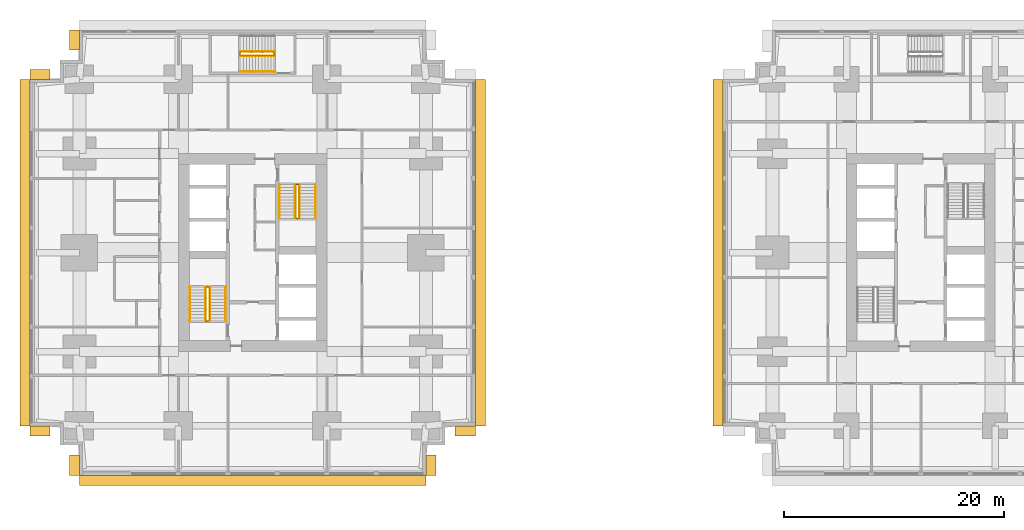
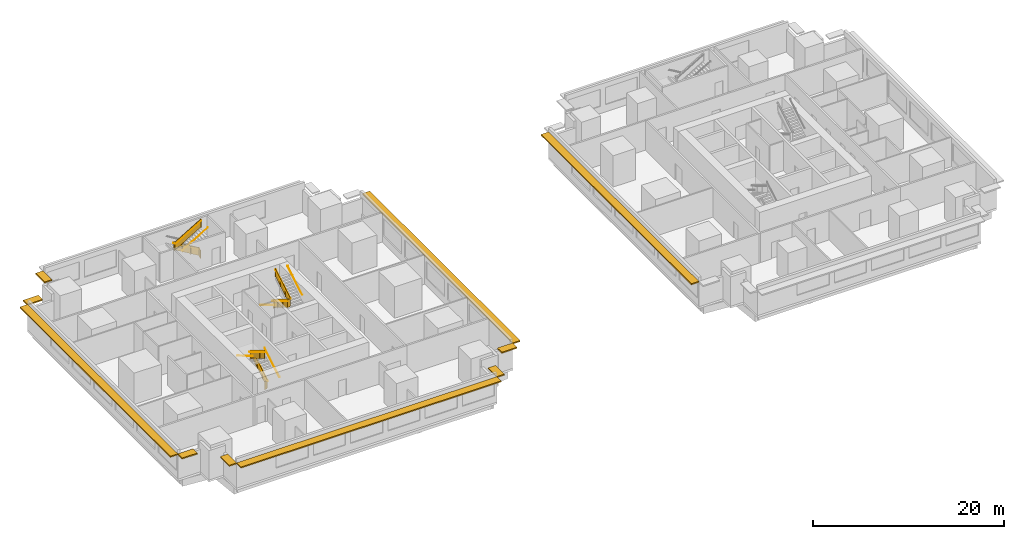
# One storey, part 9 of 11: 14 railings, 10 shading devices.
"""IFC4 building model written with IfcOpenShell, lengths in metres."""

from ifc_helpers import new_model, si_unit, direction, frame, origin, origin_2d, place, context, subcontext, project, spatial, polyline, rectangle, circle, outline, extrude, material, layer, layer_set, type_object, element, save


model = new_model("IFC4")

# Units and contexts
model_context = context("Model", 3, precision=1e-05, world=origin(), true_north=direction((0.0, 1.0)))
body_context = subcontext(model_context, "Body", "Model", "MODEL_VIEW")
ifc_project = project(units=[si_unit("LENGTHUNIT", "METRE"), si_unit("AREAUNIT", "SQUARE_METRE"), si_unit("VOLUMEUNIT", "CUBIC_METRE"), si_unit("PLANEANGLEUNIT", "RADIAN"), si_unit("MASSUNIT", "GRAM", prefix="KILO")], contexts=[model_context])

# Site, building, storey
site_placement = place(None, origin())
site = spatial("IfcSite", under=ifc_project, at=site_placement, CompositionType="ELEMENT")
building_placement = place(site_placement, origin())
building = spatial("IfcBuilding", under=site, at=building_placement, Name="Namib Vertical Campus", CompositionType="ELEMENT")
storey_placement = place(building_placement, frame((0.0, 0.0, 41.0)))
storey = spatial("IfcBuildingStorey", under=building, at=storey_placement, Name="L09", CompositionType="ELEMENT", Elevation=41.0)

# Railings
ifc_material_1 = material(Name="Steel handrail", Category="steel")
railing_type_1 = type_object("IfcRailingType", Name="Handrail 900", PredefinedType="HANDRAIL", material=ifc_material_1)
railing_1_placement = place(storey_placement, frame((17.800048828125, 14.050048828125, 0.166748046875)))
element("IfcRailing", 1, at=railing_1_placement, inside=storey, type_object=railing_type_1, Name="Handrail HR1 A-S1 L09 1", PredefinedType="HANDRAIL", context=body_context, shape_type="SweptSolid", body=[
    extrude(circle(Radius=0.02392578125, at=origin_2d()), frame((0.0, 0.0, 0.8759765625), z_axis=(0.0, 0.859290745958, 0.51148745235), x_axis=(-1.0, 0.0, 0.0)), (0.0, 0.0, 1.0), 3.584228515625),
    extrude(circle(Radius=0.008056640625, at=origin_2d()), frame((0.0, 0.0, 0.8759765625), z_axis=(1.0, 0.0, 0.0), x_axis=(0.0, 0.0, 1.0)), (0.0, 0.0, 1.0), 0.050048828125),
    extrude(circle(Radius=0.008056640625, at=origin_2d()), frame((0.0, 1.026611328125, 1.48681640625), z_axis=(1.0, 0.0, 0.0), x_axis=(0.0, 0.0, 1.0)), (0.0, 0.0, 1.0), 0.050048828125),
    extrude(circle(Radius=0.008056640625, at=origin_2d()), frame((0.0, 2.05322265625, 2.09814453125), z_axis=(1.0, 0.0, 0.0), x_axis=(0.0, 0.0, 1.0)), (0.0, 0.0, 1.0), 0.050048828125),
    extrude(circle(Radius=0.008056640625, at=origin_2d()), frame((0.0, 3.079833984375, 2.708984375), z_axis=(1.0, 0.0, 0.0), x_axis=(0.0, 0.0, 1.0)), (0.0, 0.0, 1.0), 0.050048828125),
])
railing_2_placement = place(storey_placement, frame((14.550048828125, 17.1298828125, 2.166748046875)))
element("IfcRailing", 2, at=railing_2_placement, inside=storey, type_object=railing_type_1, Name="Handrail HR1 A-S1 L09 2", PredefinedType="HANDRAIL", context=body_context, shape_type="SweptSolid", body=[
    extrude(circle(Radius=0.02392578125, at=origin_2d()), frame((0.0, 0.0, 0.8759765625), z_axis=(0.0, -0.859290745958, 0.51148745235), x_axis=(1.0, 0.0, 0.0)), (0.0, 0.0, 1.0), 3.584228515625),
    extrude(circle(Radius=0.008056640625, at=origin_2d()), frame((0.0, 0.0, 0.8759765625), z_axis=(-1.0, 0.0, 0.0), x_axis=(0.0, 0.0, 1.0)), (0.0, 0.0, 1.0), 0.050048828125),
    extrude(circle(Radius=0.008056640625, at=origin_2d()), frame((0.0, -1.026611328125, 1.48681640625), z_axis=(-1.0, 0.0, 0.0), x_axis=(0.0, 0.0, 1.0)), (0.0, 0.0, 1.0), 0.050048828125),
    extrude(circle(Radius=0.008056640625, at=origin_2d()), frame((0.0, -2.05322265625, 2.09814453125), z_axis=(-1.0, 0.0, 0.0), x_axis=(0.0, 0.0, 1.0)), (0.0, 0.0, 1.0), 0.050048828125),
    extrude(circle(Radius=0.008056640625, at=origin_2d()), frame((0.0, -3.079833984375, 2.708984375), z_axis=(-1.0, 0.0, 0.0), x_axis=(0.0, 0.0, 1.0)), (0.0, 0.0, 1.0), 0.050048828125),
])
railing_3_placement = place(storey_placement, frame((16.375, 14.050048828125, 0.166748046875)))
element("IfcRailing", 3, at=railing_3_placement, inside=storey, type_object=railing_type_1, Name="Handrail HR1 A-S1 L09 1 at the well", PredefinedType="HANDRAIL", context=body_context, shape_type="SweptSolid", body=[
    extrude(circle(Radius=0.02392578125, at=origin_2d()), frame((0.0, 0.0, 0.8759765625), z_axis=(0.0, 0.859290745958, 0.51148745235), x_axis=(-1.0, 0.0, 0.0)), (0.0, 0.0, 1.0), 3.584228515625),
    extrude(circle(Radius=0.008056640625, at=origin_2d()), frame((0.0, 0.0, 0.8759765625), z_axis=(-1.0, 0.0, 0.0), x_axis=(0.0, 0.0, 1.0)), (0.0, 0.0, 1.0), 0.0400390625),
    extrude(circle(Radius=0.008056640625, at=origin_2d()), frame((0.0, 1.026611328125, 1.48681640625), z_axis=(-1.0, 0.0, 0.0), x_axis=(0.0, 0.0, 1.0)), (0.0, 0.0, 1.0), 0.0400390625),
    extrude(circle(Radius=0.008056640625, at=origin_2d()), frame((0.0, 2.05322265625, 2.09814453125), z_axis=(-1.0, 0.0, 0.0), x_axis=(0.0, 0.0, 1.0)), (0.0, 0.0, 1.0), 0.0400390625),
    extrude(circle(Radius=0.008056640625, at=origin_2d()), frame((0.0, 3.079833984375, 2.708984375), z_axis=(-1.0, 0.0, 0.0), x_axis=(0.0, 0.0, 1.0)), (0.0, 0.0, 1.0), 0.0400390625),
])
railing_4_placement = place(storey_placement, frame((15.97509765625, 17.1298828125, 2.166748046875)))
element("IfcRailing", 4, at=railing_4_placement, inside=storey, type_object=railing_type_1, Name="Handrail HR1 A-S1 L09 2 at the well", PredefinedType="HANDRAIL", context=body_context, shape_type="SweptSolid", body=[
    extrude(circle(Radius=0.02392578125, at=origin_2d()), frame((0.0, 0.0, 0.8759765625), z_axis=(0.0, -0.859290745958, 0.51148745235), x_axis=(1.0, 0.0, 0.0)), (0.0, 0.0, 1.0), 3.584228515625),
    extrude(circle(Radius=0.008056640625, at=origin_2d()), frame((0.0, 0.0, 0.8759765625), z_axis=(1.0, 0.0, 0.0), x_axis=(0.0, 0.0, 1.0)), (0.0, 0.0, 1.0), 0.0400390625),
    extrude(circle(Radius=0.008056640625, at=origin_2d()), frame((0.0, -1.026611328125, 1.48681640625), z_axis=(1.0, 0.0, 0.0), x_axis=(0.0, 0.0, 1.0)), (0.0, 0.0, 1.0), 0.0400390625),
    extrude(circle(Radius=0.008056640625, at=origin_2d()), frame((0.0, -2.05322265625, 2.09814453125), z_axis=(1.0, 0.0, 0.0), x_axis=(0.0, 0.0, 1.0)), (0.0, 0.0, 1.0), 0.0400390625),
    extrude(circle(Radius=0.008056640625, at=origin_2d()), frame((0.0, -3.079833984375, 2.708984375), z_axis=(1.0, 0.0, 0.0), x_axis=(0.0, 0.0, 1.0)), (0.0, 0.0, 1.0), 0.0400390625),
])
railing_5_placement = place(storey_placement, frame((22.699951171875, 26.449951171875, 0.166748046875)))
element("IfcRailing", 5, at=railing_5_placement, inside=storey, type_object=railing_type_1, Name="Handrail HR1 A-S2 L09 1", PredefinedType="HANDRAIL", context=body_context, shape_type="SweptSolid", body=[
    extrude(circle(Radius=0.02392578125, at=origin_2d()), frame((0.0, 0.0, 0.8759765625), z_axis=(0.0, -0.859290745958, 0.51148745235), x_axis=(1.0, 0.0, 0.0)), (0.0, 0.0, 1.0), 3.584228515625),
    extrude(circle(Radius=0.008056640625, at=origin_2d()), frame((0.0, 0.0, 0.8759765625), z_axis=(-1.0, 0.0, 0.0), x_axis=(0.0, 0.0, 1.0)), (0.0, 0.0, 1.0), 0.050048828125),
    extrude(circle(Radius=0.008056640625, at=origin_2d()), frame((0.0, -1.026611328125, 1.48681640625), z_axis=(-1.0, 0.0, 0.0), x_axis=(0.0, 0.0, 1.0)), (0.0, 0.0, 1.0), 0.050048828125),
    extrude(circle(Radius=0.008056640625, at=origin_2d()), frame((0.0, -2.05322265625, 2.09814453125), z_axis=(-1.0, 0.0, 0.0), x_axis=(0.0, 0.0, 1.0)), (0.0, 0.0, 1.0), 0.050048828125),
    extrude(circle(Radius=0.008056640625, at=origin_2d()), frame((0.0, -3.079833984375, 2.708984375), z_axis=(-1.0, 0.0, 0.0), x_axis=(0.0, 0.0, 1.0)), (0.0, 0.0, 1.0), 0.050048828125),
])
railing_6_placement = place(storey_placement, frame((25.949951171875, 23.3701171875, 2.166748046875)))
element("IfcRailing", 6, at=railing_6_placement, inside=storey, type_object=railing_type_1, Name="Handrail HR1 A-S2 L09 2", PredefinedType="HANDRAIL", context=body_context, shape_type="SweptSolid", body=[
    extrude(circle(Radius=0.02392578125, at=origin_2d()), frame((0.0, 0.0, 0.8759765625), z_axis=(0.0, 0.859290745958, 0.51148745235), x_axis=(-1.0, 0.0, 0.0)), (0.0, 0.0, 1.0), 3.584228515625),
    extrude(circle(Radius=0.008056640625, at=origin_2d()), frame((0.0, 0.0, 0.8759765625), z_axis=(1.0, 0.0, 0.0), x_axis=(0.0, 0.0, 1.0)), (0.0, 0.0, 1.0), 0.050048828125),
    extrude(circle(Radius=0.008056640625, at=origin_2d()), frame((0.0, 1.026611328125, 1.48681640625), z_axis=(1.0, 0.0, 0.0), x_axis=(0.0, 0.0, 1.0)), (0.0, 0.0, 1.0), 0.050048828125),
    extrude(circle(Radius=0.008056640625, at=origin_2d()), frame((0.0, 2.05322265625, 2.09814453125), z_axis=(1.0, 0.0, 0.0), x_axis=(0.0, 0.0, 1.0)), (0.0, 0.0, 1.0), 0.050048828125),
    extrude(circle(Radius=0.008056640625, at=origin_2d()), frame((0.0, 3.079833984375, 2.708984375), z_axis=(1.0, 0.0, 0.0), x_axis=(0.0, 0.0, 1.0)), (0.0, 0.0, 1.0), 0.050048828125),
])
railing_7_placement = place(storey_placement, frame((24.125, 26.449951171875, 0.166748046875)))
element("IfcRailing", 7, at=railing_7_placement, inside=storey, type_object=railing_type_1, Name="Handrail HR1 A-S2 L09 1 at the well", PredefinedType="HANDRAIL", context=body_context, shape_type="SweptSolid", body=[
    extrude(circle(Radius=0.02392578125, at=origin_2d()), frame((0.0, 0.0, 0.8759765625), z_axis=(0.0, -0.859290745958, 0.51148745235), x_axis=(1.0, 0.0, 0.0)), (0.0, 0.0, 1.0), 3.584228515625),
    extrude(circle(Radius=0.008056640625, at=origin_2d()), frame((0.0, 0.0, 0.8759765625), z_axis=(1.0, 0.0, 0.0), x_axis=(0.0, 0.0, 1.0)), (0.0, 0.0, 1.0), 0.0400390625),
    extrude(circle(Radius=0.008056640625, at=origin_2d()), frame((0.0, -1.026611328125, 1.48681640625), z_axis=(1.0, 0.0, 0.0), x_axis=(0.0, 0.0, 1.0)), (0.0, 0.0, 1.0), 0.0400390625),
    extrude(circle(Radius=0.008056640625, at=origin_2d()), frame((0.0, -2.05322265625, 2.09814453125), z_axis=(1.0, 0.0, 0.0), x_axis=(0.0, 0.0, 1.0)), (0.0, 0.0, 1.0), 0.0400390625),
    extrude(circle(Radius=0.008056640625, at=origin_2d()), frame((0.0, -3.079833984375, 2.708984375), z_axis=(1.0, 0.0, 0.0), x_axis=(0.0, 0.0, 1.0)), (0.0, 0.0, 1.0), 0.0400390625),
])
railing_8_placement = place(storey_placement, frame((24.52490234375, 23.3701171875, 2.166748046875)))
element("IfcRailing", 8, at=railing_8_placement, inside=storey, type_object=railing_type_1, Name="Handrail HR1 A-S2 L09 2 at the well", PredefinedType="HANDRAIL", context=body_context, shape_type="SweptSolid", body=[
    extrude(circle(Radius=0.02392578125, at=origin_2d()), frame((0.0, 0.0, 0.8759765625), z_axis=(0.0, 0.859290745958, 0.51148745235), x_axis=(-1.0, 0.0, 0.0)), (0.0, 0.0, 1.0), 3.584228515625),
    extrude(circle(Radius=0.008056640625, at=origin_2d()), frame((0.0, 0.0, 0.8759765625), z_axis=(-1.0, 0.0, 0.0), x_axis=(0.0, 0.0, 1.0)), (0.0, 0.0, 1.0), 0.0400390625),
    extrude(circle(Radius=0.008056640625, at=origin_2d()), frame((0.0, 1.026611328125, 1.48681640625), z_axis=(-1.0, 0.0, 0.0), x_axis=(0.0, 0.0, 1.0)), (0.0, 0.0, 1.0), 0.0400390625),
    extrude(circle(Radius=0.008056640625, at=origin_2d()), frame((0.0, 2.05322265625, 2.09814453125), z_axis=(-1.0, 0.0, 0.0), x_axis=(0.0, 0.0, 1.0)), (0.0, 0.0, 1.0), 0.0400390625),
    extrude(circle(Radius=0.008056640625, at=origin_2d()), frame((0.0, 3.079833984375, 2.708984375), z_axis=(-1.0, 0.0, 0.0), x_axis=(0.0, 0.0, 1.0)), (0.0, 0.0, 1.0), 0.0400390625),
])
railing_9_placement = place(storey_placement, frame((19.1201171875, 36.699951171875, 2.166748046875)))
element("IfcRailing", 9, at=railing_9_placement, inside=storey, type_object=railing_type_1, Name="Handrail HR1 A-S3 L09 2", PredefinedType="HANDRAIL", context=body_context, shape_type="SweptSolid", body=[
    extrude(circle(Radius=0.02392578125, at=origin_2d()), frame((0.0, 0.0, 0.8759765625), z_axis=(0.859290745958, 0.0, 0.51148745235), x_axis=(0.0, 1.0, 0.0)), (0.0, 0.0, 1.0), 3.584228515625),
    extrude(circle(Radius=0.008056640625, at=origin_2d()), frame((0.0, 0.0, 0.8759765625), z_axis=(0.0, -1.0, 0.0), x_axis=(0.0, 0.0, 1.0)), (0.0, 0.0, 1.0), 0.050048828125),
    extrude(circle(Radius=0.008056640625, at=origin_2d()), frame((1.026611328125, 0.0, 1.48681640625), z_axis=(0.0, -1.0, 0.0), x_axis=(0.0, 0.0, 1.0)), (0.0, 0.0, 1.0), 0.050048828125),
    extrude(circle(Radius=0.008056640625, at=origin_2d()), frame((2.05322265625, 0.0, 2.09814453125), z_axis=(0.0, -1.0, 0.0), x_axis=(0.0, 0.0, 1.0)), (0.0, 0.0, 1.0), 0.050048828125),
    extrude(circle(Radius=0.008056640625, at=origin_2d()), frame((3.079833984375, 0.0, 2.708984375), z_axis=(0.0, -1.0, 0.0), x_axis=(0.0, 0.0, 1.0)), (0.0, 0.0, 1.0), 0.050048828125),
])
railing_10_placement = place(storey_placement, frame((22.199951171875, 38.52490234375, 0.166748046875)))
element("IfcRailing", 10, at=railing_10_placement, inside=storey, type_object=railing_type_1, Name="Handrail HR1 A-S3 L09 1 at the well", PredefinedType="HANDRAIL", context=body_context, shape_type="SweptSolid", body=[
    extrude(circle(Radius=0.02392578125, at=origin_2d()), frame((0.0, 0.0, 0.8759765625), z_axis=(-0.859290745958, 0.0, 0.51148745235), x_axis=(0.0, -1.0, 0.0)), (0.0, 0.0, 1.0), 3.584228515625),
    extrude(circle(Radius=0.008056640625, at=origin_2d()), frame((0.0, 0.0, 0.8759765625), z_axis=(0.0, -1.0, 0.0), x_axis=(0.0, 0.0, 1.0)), (0.0, 0.0, 1.0), 0.0400390625),
    extrude(circle(Radius=0.008056640625, at=origin_2d()), frame((-1.026611328125, 0.0, 1.48681640625), z_axis=(0.0, -1.0, 0.0), x_axis=(0.0, 0.0, 1.0)), (0.0, 0.0, 1.0), 0.0400390625),
    extrude(circle(Radius=0.008056640625, at=origin_2d()), frame((-2.05322265625, 0.0, 2.09814453125), z_axis=(0.0, -1.0, 0.0), x_axis=(0.0, 0.0, 1.0)), (0.0, 0.0, 1.0), 0.0400390625),
    extrude(circle(Radius=0.008056640625, at=origin_2d()), frame((-3.079833984375, 0.0, 2.708984375), z_axis=(0.0, -1.0, 0.0), x_axis=(0.0, 0.0, 1.0)), (0.0, 0.0, 1.0), 0.0400390625),
])
railing_11_placement = place(storey_placement, frame((19.1201171875, 38.125, 2.166748046875)))
element("IfcRailing", 11, at=railing_11_placement, inside=storey, type_object=railing_type_1, Name="Handrail HR1 A-S3 L09 2 at the well", PredefinedType="HANDRAIL", context=body_context, shape_type="SweptSolid", body=[
    extrude(circle(Radius=0.02392578125, at=origin_2d()), frame((0.0, 0.0, 0.8759765625), z_axis=(0.859290745958, 0.0, 0.51148745235), x_axis=(0.0, 1.0, 0.0)), (0.0, 0.0, 1.0), 3.584228515625),
    extrude(circle(Radius=0.008056640625, at=origin_2d()), frame((0.0, 0.0, 0.8759765625), z_axis=(0.0, 1.0, 0.0), x_axis=(0.0, 0.0, 1.0)), (0.0, 0.0, 1.0), 0.0400390625),
    extrude(circle(Radius=0.008056640625, at=origin_2d()), frame((1.026611328125, 0.0, 1.48681640625), z_axis=(0.0, 1.0, 0.0), x_axis=(0.0, 0.0, 1.0)), (0.0, 0.0, 1.0), 0.0400390625),
    extrude(circle(Radius=0.008056640625, at=origin_2d()), frame((2.05322265625, 0.0, 2.09814453125), z_axis=(0.0, 1.0, 0.0), x_axis=(0.0, 0.0, 1.0)), (0.0, 0.0, 1.0), 0.0400390625),
    extrude(circle(Radius=0.008056640625, at=origin_2d()), frame((3.079833984375, 0.0, 2.708984375), z_axis=(0.0, 1.0, 0.0), x_axis=(0.0, 0.0, 1.0)), (0.0, 0.0, 1.0), 0.0400390625),
])
ifc_material_2 = material(Name="Steel balustrade", Category="steel")
railing_type_2 = type_object("IfcRailingType", Name="Stair guard 1100", PredefinedType="GUARDRAIL", material=ifc_material_2)
railing_12_placement = place(storey_placement, frame((16.02490234375, 14.050048828125, 0.0)))
element("IfcRailing", 12, at=railing_12_placement, inside=storey, type_object=railing_type_2, Name="Stair guard GR1 A-S1 L09", PredefinedType="GUARDRAIL", context=body_context, shape_type="SweptSolid", body=[
    extrude(circle(Radius=0.02392578125, at=origin_2d()), frame((0.0, 0.0, 1.076171875), z_axis=(1.0, 0.0, 0.0), x_axis=(0.0, 1.0, 0.0)), (0.0, 0.0, 1.0), 0.300048828125),
    extrude(outline(polyline([(0.02099609375, 0.050048828125), (0.279052734375, 0.050048828125), (0.279052734375, 1.052001953125), (0.02099609375, 1.052001953125), (0.02099609375, 0.050048828125)])), frame((0.0, 0.010009765625, 0.0), z_axis=(0.0, -1.0, 0.0), x_axis=(1.0, 0.0, 0.0)), (0.0, 0.0, 1.0), 0.02001953125),
    extrude(circle(Radius=0.02392578125, at=origin_2d()), frame((0.300048828125, 0.0, 1.076171875), z_axis=(0.0, 0.0, 1.0), x_axis=(1.0, 0.0, 0.0)), (0.0, 0.0, 1.0), 0.166748046875),
    extrude(circle(Radius=0.02392578125, at=origin_2d()), frame((0.300048828125, 0.0, 1.24267578125), z_axis=(0.0, 0.859290745958, 0.51148745235), x_axis=(-1.0, 0.0, 0.0)), (0.0, 0.0, 1.0), 3.584228515625),
    extrude(outline(polyline([(0.02099609375, 0.0625), (3.058837890625, 1.870849609375), (3.058837890625, 2.872802734375), (0.02099609375, 1.064453125), (0.02099609375, 0.0625)])), frame((0.2900390625, 0.0, 0.166748046875), z_axis=(1.0, 0.0, 0.0), x_axis=(0.0, 1.0, 0.0)), (0.0, 0.0, 1.0), 0.02001953125),
    extrude(circle(Radius=0.02392578125, at=origin_2d()), frame((0.300048828125, 3.079833984375, 3.076171875), z_axis=(-1.0, 0.0, 0.0), x_axis=(0.0, -1.0, 0.0)), (0.0, 0.0, 1.0), 0.300048828125),
    extrude(outline(polyline([(0.02099609375, 0.050048828125), (0.279052734375, 0.050048828125), (0.279052734375, 1.052001953125), (0.02099609375, 1.052001953125), (0.02099609375, 0.050048828125)])), frame((0.300048828125, 3.06982421875, 2.0), z_axis=(0.0, 1.0, 0.0), x_axis=(-1.0, 0.0, 0.0)), (0.0, 0.0, 1.0), 0.02001953125),
    extrude(circle(Radius=0.02392578125, at=origin_2d()), frame((0.0, 3.079833984375, 3.076171875), z_axis=(0.0, 0.0, 1.0), x_axis=(1.0, 0.0, 0.0)), (0.0, 0.0, 1.0), 0.166748046875),
    extrude(circle(Radius=0.02392578125, at=origin_2d()), frame((0.0, 3.079833984375, 3.24267578125), z_axis=(0.0, -0.859290745958, 0.51148745235), x_axis=(1.0, 0.0, 0.0)), (0.0, 0.0, 1.0), 3.584228515625),
    extrude(outline(polyline([(0.02099609375, 0.0625), (3.058837890625, 1.870849609375), (3.058837890625, 2.872802734375), (0.02099609375, 1.064453125), (0.02099609375, 0.0625)])), frame((0.010009765625, 3.079833984375, 2.166748046875), z_axis=(-1.0, 0.0, 0.0), x_axis=(0.0, -1.0, 0.0)), (0.0, 0.0, 1.0), 0.02001953125),
    extrude(circle(Radius=0.02392578125, at=origin_2d()), frame((0.0, 0.0, 5.076171875), z_axis=(0.0, -1.0, 0.0), x_axis=(1.0, 0.0, 0.0)), (0.0, 0.0, 1.0), 0.050048828125),
    extrude(outline(polyline([(0.02099609375, 0.050048828125), (0.029052734375, 0.050048828125), (0.029052734375, 1.052001953125), (0.02099609375, 1.052001953125), (0.02099609375, 0.050048828125)])), frame((0.010009765625, 0.0, 4.0), z_axis=(-1.0, 0.0, 0.0), x_axis=(0.0, -1.0, 0.0)), (0.0, 0.0, 1.0), 0.02001953125),
    extrude(circle(Radius=0.02099609375, at=origin_2d()), origin(), (0.0, 0.0, 1.0), 1.052001953125),
    extrude(circle(Radius=0.02099609375, at=origin_2d()), frame((0.300048828125, 0.0, 0.166748046875)), (0.0, 0.0, 1.0), 1.052001953125),
    extrude(circle(Radius=0.02099609375, at=origin_2d()), frame((0.300048828125, 1.026611328125, 0.666748046875)), (0.0, 0.0, 1.0), 1.1630859375),
    extrude(circle(Radius=0.02099609375, at=origin_2d()), frame((0.300048828125, 2.05322265625, 1.33349609375)), (0.0, 0.0, 1.0), 1.107421875),
    extrude(circle(Radius=0.02099609375, at=origin_2d()), frame((0.300048828125, 3.079833984375, 2.0)), (0.0, 0.0, 1.0), 1.052001953125),
    extrude(circle(Radius=0.02099609375, at=origin_2d()), frame((0.0, 3.079833984375, 2.166748046875)), (0.0, 0.0, 1.0), 1.052001953125),
    extrude(circle(Radius=0.02099609375, at=origin_2d()), frame((0.0, 2.05322265625, 2.666748046875)), (0.0, 0.0, 1.0), 1.1630859375),
    extrude(circle(Radius=0.02099609375, at=origin_2d()), frame((0.0, 1.026611328125, 3.33349609375)), (0.0, 0.0, 1.0), 1.107421875),
    extrude(circle(Radius=0.02099609375, at=origin_2d()), frame((0.0, 0.0, 4.0)), (0.0, 0.0, 1.0), 1.052001953125),
    extrude(circle(Radius=0.02099609375, at=origin_2d()), frame((0.0, -0.050048828125, 4.0)), (0.0, 0.0, 1.0), 1.052001953125),
])
railing_13_placement = place(storey_placement, frame((24.47509765625, 26.449951171875, 0.0)))
element("IfcRailing", 13, at=railing_13_placement, inside=storey, type_object=railing_type_2, Name="Stair guard GR1 A-S2 L09", PredefinedType="GUARDRAIL", context=body_context, shape_type="SweptSolid", body=[
    extrude(circle(Radius=0.02392578125, at=origin_2d()), frame((0.0, 0.0, 1.076171875), z_axis=(-1.0, 0.0, 0.0), x_axis=(0.0, -1.0, 0.0)), (0.0, 0.0, 1.0), 0.300048828125),
    extrude(outline(polyline([(0.02099609375, 0.050048828125), (0.279052734375, 0.050048828125), (0.279052734375, 1.052001953125), (0.02099609375, 1.052001953125), (0.02099609375, 0.050048828125)])), frame((0.0, -0.010009765625, 0.0), z_axis=(0.0, 1.0, 0.0), x_axis=(-1.0, 0.0, 0.0)), (0.0, 0.0, 1.0), 0.02001953125),
    extrude(circle(Radius=0.02392578125, at=origin_2d()), frame((-0.300048828125, 0.0, 1.076171875), z_axis=(0.0, 0.0, 1.0), x_axis=(1.0, 0.0, 0.0)), (0.0, 0.0, 1.0), 0.166748046875),
    extrude(circle(Radius=0.02392578125, at=origin_2d()), frame((-0.300048828125, 0.0, 1.24267578125), z_axis=(0.0, -0.859290745958, 0.51148745235), x_axis=(1.0, 0.0, 0.0)), (0.0, 0.0, 1.0), 3.584228515625),
    extrude(outline(polyline([(0.02099609375, 0.0625), (3.058837890625, 1.870849609375), (3.058837890625, 2.872802734375), (0.02099609375, 1.064453125), (0.02099609375, 0.0625)])), frame((-0.2900390625, 0.0, 0.166748046875), z_axis=(-1.0, 0.0, 0.0), x_axis=(0.0, -1.0, 0.0)), (0.0, 0.0, 1.0), 0.02001953125),
    extrude(circle(Radius=0.02392578125, at=origin_2d()), frame((-0.300048828125, -3.079833984375, 3.076171875), z_axis=(1.0, 0.0, 0.0), x_axis=(0.0, 1.0, 0.0)), (0.0, 0.0, 1.0), 0.300048828125),
    extrude(outline(polyline([(0.02099609375, 0.050048828125), (0.279052734375, 0.050048828125), (0.279052734375, 1.052001953125), (0.02099609375, 1.052001953125), (0.02099609375, 0.050048828125)])), frame((-0.300048828125, -3.06982421875, 2.0), z_axis=(0.0, -1.0, 0.0), x_axis=(1.0, 0.0, 0.0)), (0.0, 0.0, 1.0), 0.02001953125),
    extrude(circle(Radius=0.02392578125, at=origin_2d()), frame((0.0, -3.079833984375, 3.076171875), z_axis=(0.0, 0.0, 1.0), x_axis=(1.0, 0.0, 0.0)), (0.0, 0.0, 1.0), 0.166748046875),
    extrude(circle(Radius=0.02392578125, at=origin_2d()), frame((0.0, -3.079833984375, 3.24267578125), z_axis=(0.0, 0.859290745958, 0.51148745235), x_axis=(-1.0, 0.0, 0.0)), (0.0, 0.0, 1.0), 3.584228515625),
    extrude(outline(polyline([(0.02099609375, 0.0625), (3.058837890625, 1.870849609375), (3.058837890625, 2.872802734375), (0.02099609375, 1.064453125), (0.02099609375, 0.0625)])), frame((-0.010009765625, -3.079833984375, 2.166748046875), z_axis=(1.0, 0.0, 0.0), x_axis=(0.0, 1.0, 0.0)), (0.0, 0.0, 1.0), 0.02001953125),
    extrude(circle(Radius=0.02392578125, at=origin_2d()), frame((0.0, 0.0, 5.076171875), z_axis=(0.0, 1.0, 0.0), x_axis=(-1.0, 0.0, 0.0)), (0.0, 0.0, 1.0), 0.050048828125),
    extrude(outline(polyline([(0.02099609375, 0.050048828125), (0.029052734375, 0.050048828125), (0.029052734375, 1.052001953125), (0.02099609375, 1.052001953125), (0.02099609375, 0.050048828125)])), frame((-0.010009765625, 0.0, 4.0), z_axis=(1.0, 0.0, 0.0), x_axis=(0.0, 1.0, 0.0)), (0.0, 0.0, 1.0), 0.02001953125),
    extrude(circle(Radius=0.02099609375, at=origin_2d()), origin(), (0.0, 0.0, 1.0), 1.052001953125),
    extrude(circle(Radius=0.02099609375, at=origin_2d()), frame((-0.300048828125, 0.0, 0.166748046875)), (0.0, 0.0, 1.0), 1.052001953125),
    extrude(circle(Radius=0.02099609375, at=origin_2d()), frame((-0.300048828125, -1.026611328125, 0.666748046875)), (0.0, 0.0, 1.0), 1.1630859375),
    extrude(circle(Radius=0.02099609375, at=origin_2d()), frame((-0.300048828125, -2.05322265625, 1.33349609375)), (0.0, 0.0, 1.0), 1.107421875),
    extrude(circle(Radius=0.02099609375, at=origin_2d()), frame((-0.300048828125, -3.079833984375, 2.0)), (0.0, 0.0, 1.0), 1.052001953125),
    extrude(circle(Radius=0.02099609375, at=origin_2d()), frame((0.0, -3.079833984375, 2.166748046875)), (0.0, 0.0, 1.0), 1.052001953125),
    extrude(circle(Radius=0.02099609375, at=origin_2d()), frame((0.0, -2.05322265625, 2.666748046875)), (0.0, 0.0, 1.0), 1.1630859375),
    extrude(circle(Radius=0.02099609375, at=origin_2d()), frame((0.0, -1.026611328125, 3.33349609375)), (0.0, 0.0, 1.0), 1.107421875),
    extrude(circle(Radius=0.02099609375, at=origin_2d()), frame((0.0, 0.0, 4.0)), (0.0, 0.0, 1.0), 1.052001953125),
    extrude(circle(Radius=0.02099609375, at=origin_2d()), frame((0.0, 0.050048828125, 4.0)), (0.0, 0.0, 1.0), 1.052001953125),
])
railing_14_placement = place(storey_placement, frame((22.199951171875, 38.175048828125, 0.0)))
element("IfcRailing", 14, at=railing_14_placement, inside=storey, type_object=railing_type_2, Name="Stair guard GR1 A-S3 L09", PredefinedType="GUARDRAIL", context=body_context, shape_type="SweptSolid", body=[
    extrude(circle(Radius=0.02392578125, at=origin_2d()), frame((0.0, 0.0, 1.076171875), z_axis=(0.0, 1.0, 0.0), x_axis=(-1.0, 0.0, 0.0)), (0.0, 0.0, 1.0), 0.300048828125),
    extrude(outline(polyline([(0.02099609375, 0.050048828125), (0.279052734375, 0.050048828125), (0.279052734375, 1.052001953125), (0.02099609375, 1.052001953125), (0.02099609375, 0.050048828125)])), frame((-0.010009765625, 0.0, 0.0), z_axis=(1.0, 0.0, 0.0), x_axis=(0.0, 1.0, 0.0)), (0.0, 0.0, 1.0), 0.02001953125),
    extrude(circle(Radius=0.02392578125, at=origin_2d()), frame((0.0, 0.300048828125, 1.076171875), z_axis=(0.0, 0.0, 1.0), x_axis=(1.0, 0.0, 0.0)), (0.0, 0.0, 1.0), 0.166748046875),
    extrude(circle(Radius=0.02392578125, at=origin_2d()), frame((0.0, 0.300048828125, 1.24267578125), z_axis=(-0.859290745958, 0.0, 0.51148745235), x_axis=(0.0, -1.0, 0.0)), (0.0, 0.0, 1.0), 3.584228515625),
    extrude(outline(polyline([(0.02099609375, 0.0625), (3.058837890625, 1.870849609375), (3.058837890625, 2.872802734375), (0.02099609375, 1.064453125), (0.02099609375, 0.0625)])), frame((0.0, 0.2900390625, 0.166748046875), z_axis=(0.0, 1.0, 0.0), x_axis=(-1.0, 0.0, 0.0)), (0.0, 0.0, 1.0), 0.02001953125),
    extrude(circle(Radius=0.02392578125, at=origin_2d()), frame((-3.079833984375, 0.300048828125, 3.076171875), z_axis=(0.0, -1.0, 0.0), x_axis=(1.0, 0.0, 0.0)), (0.0, 0.0, 1.0), 0.300048828125),
    extrude(outline(polyline([(0.02099609375, 0.050048828125), (0.279052734375, 0.050048828125), (0.279052734375, 1.052001953125), (0.02099609375, 1.052001953125), (0.02099609375, 0.050048828125)])), frame((-3.06982421875, 0.300048828125, 2.0), z_axis=(-1.0, 0.0, 0.0), x_axis=(0.0, -1.0, 0.0)), (0.0, 0.0, 1.0), 0.02001953125),
    extrude(circle(Radius=0.02392578125, at=origin_2d()), frame((-3.079833984375, 0.0, 3.076171875), z_axis=(0.0, 0.0, 1.0), x_axis=(1.0, 0.0, 0.0)), (0.0, 0.0, 1.0), 0.166748046875),
    extrude(circle(Radius=0.02392578125, at=origin_2d()), frame((-3.079833984375, 0.0, 3.24267578125), z_axis=(0.859290745958, 0.0, 0.51148745235), x_axis=(0.0, 1.0, 0.0)), (0.0, 0.0, 1.0), 3.584228515625),
    extrude(outline(polyline([(0.02099609375, 0.0625), (3.058837890625, 1.870849609375), (3.058837890625, 2.872802734375), (0.02099609375, 1.064453125), (0.02099609375, 0.0625)])), frame((-3.079833984375, 0.010009765625, 2.166748046875), z_axis=(0.0, -1.0, 0.0), x_axis=(1.0, 0.0, 0.0)), (0.0, 0.0, 1.0), 0.02001953125),
    extrude(circle(Radius=0.02392578125, at=origin_2d()), frame((0.0, 0.0, 5.076171875), z_axis=(1.0, 0.0, 0.0), x_axis=(0.0, 1.0, 0.0)), (0.0, 0.0, 1.0), 0.050048828125),
    extrude(outline(polyline([(0.02099609375, 0.050048828125), (0.029052734375, 0.050048828125), (0.029052734375, 1.052001953125), (0.02099609375, 1.052001953125), (0.02099609375, 0.050048828125)])), frame((0.0, 0.010009765625, 4.0), z_axis=(0.0, -1.0, 0.0), x_axis=(1.0, 0.0, 0.0)), (0.0, 0.0, 1.0), 0.02001953125),
    extrude(circle(Radius=0.02099609375, at=origin_2d()), origin(), (0.0, 0.0, 1.0), 1.052001953125),
    extrude(circle(Radius=0.02099609375, at=origin_2d()), frame((0.0, 0.300048828125, 0.166748046875)), (0.0, 0.0, 1.0), 1.052001953125),
    extrude(circle(Radius=0.02099609375, at=origin_2d()), frame((-1.026611328125, 0.300048828125, 0.666748046875)), (0.0, 0.0, 1.0), 1.1630859375),
    extrude(circle(Radius=0.02099609375, at=origin_2d()), frame((-2.05322265625, 0.300048828125, 1.33349609375)), (0.0, 0.0, 1.0), 1.107421875),
    extrude(circle(Radius=0.02099609375, at=origin_2d()), frame((-3.079833984375, 0.300048828125, 2.0)), (0.0, 0.0, 1.0), 1.052001953125),
    extrude(circle(Radius=0.02099609375, at=origin_2d()), frame((-3.079833984375, 0.0, 2.166748046875)), (0.0, 0.0, 1.0), 1.052001953125),
    extrude(circle(Radius=0.02099609375, at=origin_2d()), frame((-2.05322265625, 0.0, 2.666748046875)), (0.0, 0.0, 1.0), 1.1630859375),
    extrude(circle(Radius=0.02099609375, at=origin_2d()), frame((-1.026611328125, 0.0, 3.33349609375)), (0.0, 0.0, 1.0), 1.107421875),
    extrude(circle(Radius=0.02099609375, at=origin_2d()), frame((0.0, 0.0, 4.0)), (0.0, 0.0, 1.0), 1.052001953125),
    extrude(circle(Radius=0.02099609375, at=origin_2d()), frame((0.050048828125, 0.0, 4.0)), (0.0, 0.0, 1.0), 1.052001953125),
])

# Shading devices
ifc_material_3 = material(Name="Concrete C40/50 precast", Category="concrete")
ifc_layer = layer(ifc_material_3, 0.14990234375)
ifc_layer_set = layer_set([ifc_layer], Name="Concrete C40/50 precast")
shading_device_type = type_object("IfcShadingDeviceType", Name="Sunshade hood 900", PredefinedType="SHUTTER", material=ifc_layer_set)
shading_device_1_placement = place(storey_placement, frame((20.25, -0.449951171875, 3.10009765625), z_axis=(0.0, 0.0, 1.0), x_axis=(1.0, 0.0, 0.0)))
element("IfcShadingDevice", 15, at=shading_device_1_placement, inside=storey, type_object=shading_device_type, Name="Sunshade SH1 L09 1", PredefinedType="SHUTTER", context=body_context, shape_type="SweptSolid", body=[
    extrude(rectangle(XDim=31.5, YDim=0.89990234375, at=origin_2d()), origin(), (0.0, 0.0, 1.0), 0.14990234375),
])
for number, where, z_axis, x_axis, name in (
    (16, (36.449951171875, 0.925048828125, 3.10009765625), (0.0, 0.0, 1.0), (0.0, 1.0, 0.0), "Sunshade SH1 L09 2"),
    (17, (39.574951171875, 4.050048828125, 3.10009765625), (0.0, 0.0, 1.0), (1.0, 0.0, 0.0), "Sunshade SH1 L09 5"),
):
    element("IfcShadingDevice", number, at=place(storey_placement, frame(where, z_axis=z_axis, x_axis=x_axis)), inside=storey, type_object=shading_device_type, Name=name, PredefinedType="SHUTTER", context=body_context, shape_type="SweptSolid", body=[
        extrude(rectangle(XDim=1.85009765625, YDim=0.89990234375, at=origin_2d()), origin(), (0.0, 0.0, 1.0), 0.14990234375),
    ])
shading_device_2_placement = place(storey_placement, frame((40.949951171875, 20.25, 3.10009765625), z_axis=(0.0, 0.0, 1.0), x_axis=(0.0, 1.0, 0.0)))
element("IfcShadingDevice", 18, at=shading_device_2_placement, inside=storey, type_object=shading_device_type, Name="Sunshade SH1 L09 6", PredefinedType="SHUTTER", context=body_context, shape_type="SweptSolid", body=[
    extrude(rectangle(XDim=31.5, YDim=0.89990234375, at=origin_2d()), origin(), (0.0, 0.0, 1.0), 0.14990234375),
])
for number, where, z_axis, x_axis, name in (
    (19, (4.050048828125, 39.574951171875, 3.10009765625), (0.0, 0.0, 1.0), (0.0, -1.0, 0.0), "Sunshade SH1 L09 12"),
    (20, (0.925048828125, 36.449951171875, 3.10009765625), (0.0, 0.0, 1.0), (-1.0, 0.0, 0.0), "Sunshade SH1 L09 15"),
):
    element("IfcShadingDevice", number, at=place(storey_placement, frame(where, z_axis=z_axis, x_axis=x_axis)), inside=storey, type_object=shading_device_type, Name=name, PredefinedType="SHUTTER", context=body_context, shape_type="SweptSolid", body=[
        extrude(rectangle(XDim=1.85009765625, YDim=0.89990234375, at=origin_2d()), origin(), (0.0, 0.0, 1.0), 0.14990234375),
    ])
shading_device_3_placement = place(storey_placement, frame((-0.449951171875, 20.25, 3.10009765625), z_axis=(0.0, 0.0, 1.0), x_axis=(0.0, -1.0, 0.0)))
element("IfcShadingDevice", 21, at=shading_device_3_placement, inside=storey, type_object=shading_device_type, Name="Sunshade SH1 L09 16", PredefinedType="SHUTTER", context=body_context, shape_type="SweptSolid", body=[
    extrude(rectangle(XDim=31.5, YDim=0.89990234375, at=origin_2d()), origin(), (0.0, 0.0, 1.0), 0.14990234375),
])
for number, where, z_axis, x_axis, name in (
    (22, (0.925048828125, 4.050048828125, 3.10009765625), (0.0, 0.0, 1.0), (1.0, 0.0, 0.0), "Sunshade SH1 L09 17"),
    (23, (4.050048828125, 0.925048828125, 3.10009765625), (0.0, 0.0, 1.0), (0.0, -1.0, 0.0), "Sunshade SH1 L09 20"),
):
    element("IfcShadingDevice", number, at=place(storey_placement, frame(where, z_axis=z_axis, x_axis=x_axis)), inside=storey, type_object=shading_device_type, Name=name, PredefinedType="SHUTTER", context=body_context, shape_type="SweptSolid", body=[
        extrude(rectangle(XDim=1.85009765625, YDim=0.89990234375, at=origin_2d()), origin(), (0.0, 0.0, 1.0), 0.14990234375),
    ])
shading_device_4_placement = place(storey_placement, frame((62.550048828125, 20.25, 3.10009765625), z_axis=(0.0, 0.0, 1.0), x_axis=(0.0, -1.0, 0.0)))
element("IfcShadingDevice", 24, at=shading_device_4_placement, inside=storey, type_object=shading_device_type, Name="Sunshade SH1 L09 16", PredefinedType="SHUTTER", context=body_context, shape_type="SweptSolid", body=[
    extrude(rectangle(XDim=31.5, YDim=0.89990234375, at=origin_2d()), origin(), (0.0, 0.0, 1.0), 0.14990234375),
])

save(model, "model.ifc")
